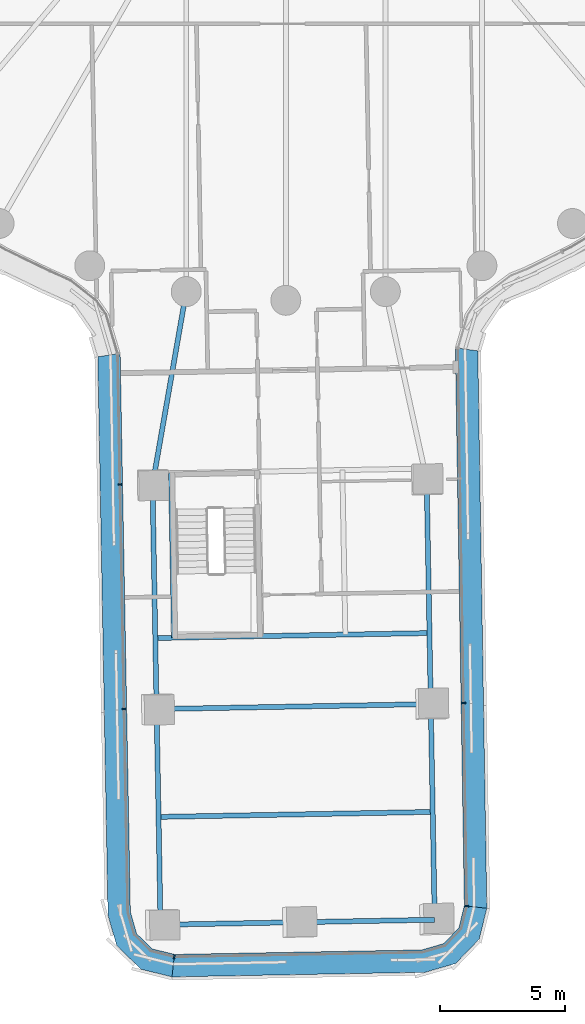
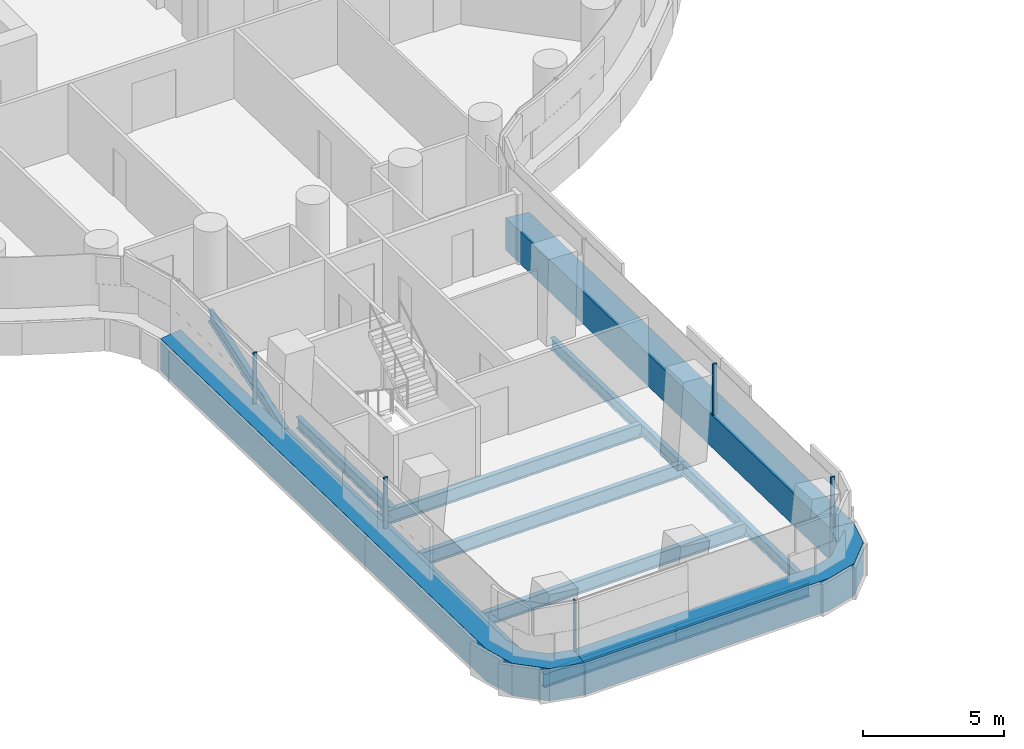
# One storey, part 2 of 31: 11 beams, 8 members, 3 elements without a shape of their own.
"""IFC4 building model written with IfcOpenShell, lengths in metres."""

from ifc_helpers import new_model, si_unit, direction, frame, origin, origin_2d, place, context, subcontext, project, spatial, polyline, rectangle, i_section, outline, extrude, material, layer, layer_set, material_profile, profile_set, type_object, element, aggregate, save


model = new_model("IFC4")

# Units and contexts
model_context = context("Model", 3, precision=1e-05, world=origin(), true_north=direction((0.0, 1.0)))
body_context = subcontext(model_context, "Body", "Model", "MODEL_VIEW")
ifc_project = project(units=[si_unit("LENGTHUNIT", "METRE"), si_unit("AREAUNIT", "SQUARE_METRE"), si_unit("VOLUMEUNIT", "CUBIC_METRE"), si_unit("PLANEANGLEUNIT", "RADIAN"), si_unit("MASSUNIT", "GRAM", prefix="KILO")], contexts=[model_context])

# Site, building, storey
site_placement = place(None, origin())
site = spatial("IfcSite", under=ifc_project, at=site_placement, CompositionType="ELEMENT")
building_placement = place(site_placement, origin())
building = spatial("IfcBuilding", under=site, at=building_placement, Name="Tamarind Cross Interchange Tower", CompositionType="ELEMENT")
storey_placement = place(building_placement, frame((0.0, 0.0, 37.75)))
storey = spatial("IfcBuildingStorey", under=building, at=storey_placement, Name="L07", CompositionType="ELEMENT", Elevation=37.75)

# Beams
ifc_material_1 = material(Name="Steel Q355B", Category="steel")
ifc_material_profile_1 = material_profile(ifc_material_1, i_section(OverallWidth=0.198974609375, OverallDepth=0.49609375, WebThickness=0.009033203125, FlangeThickness=0.013916015625, FilletRadius=0.012939453125, at=origin_2d()), Name="HN 496x199x9x14")
ifc_profile_set_1 = profile_set([ifc_material_profile_1], Name="Steel Q355B")
beam_type_1 = type_object("IfcBeamType", Name="Composite beam HN 496x199x9x14 Q355B", PredefinedType="BEAM", material=ifc_profile_set_1)
beam_1_placement = place(storey_placement, frame((-5.02587890625, -48.048828125, -0.387939453125), z_axis=(-0.018227020054, 0.999833874071, 0.0), x_axis=(-0.999833874071, -0.018227020054, 0.0)))
element("IfcBeam", 1, at=beam_1_placement, inside=storey, type_object=beam_type_1, Name="Beam S-edgeem5", PredefinedType="BEAM", context=body_context, shape_type="SweptSolid", body=[
    extrude(i_section(OverallWidth=0.198974609375, OverallDepth=0.49609375, WebThickness=0.009033203125, FlangeThickness=0.013916015625, FilletRadius=0.012939453125, at=origin_2d()), origin(), (0.0, 0.0, 1.0), 8.65283203125),
])
beam_2_placement = place(storey_placement, frame((-5.18359375, -39.3974609375, -0.387939453125), z_axis=(-0.018229104613, 0.999833836067, 0.0), x_axis=(-0.999833836067, -0.018229104613, 0.0)))
element("IfcBeam", 2, at=beam_2_placement, inside=storey, type_object=beam_type_1, Name="Beam S-edgeem6", PredefinedType="BEAM", context=body_context, shape_type="SweptSolid", body=[
    extrude(i_section(OverallWidth=0.198974609375, OverallDepth=0.49609375, WebThickness=0.009033203125, FlangeThickness=0.013916015625, FilletRadius=0.012939453125, at=origin_2d()), origin(), (0.0, 0.0, 1.0), 9.0),
])
beam_3_placement = place(storey_placement, frame((5.972412109375, -47.84814453125, -0.387939453125), z_axis=(-0.01825522586, 0.99983335948, 0.0), x_axis=(-0.99983335948, -0.01825522586, 0.0)))
element("IfcBeam", 3, at=beam_3_placement, inside=storey, type_object=beam_type_1, Name="Beam S-edgeep2", PredefinedType="BEAM", context=body_context, shape_type="SweptSolid", body=[
    extrude(i_section(OverallWidth=0.198974609375, OverallDepth=0.49609375, WebThickness=0.009033203125, FlangeThickness=0.013916015625, FilletRadius=0.012939453125, at=origin_2d()), origin(), (0.0, 0.0, 1.0), 8.65283203125),
])
beam_4_placement = place(storey_placement, frame((5.814453125, -39.19677734375, -0.387939453125), z_axis=(-0.018229104613, 0.999833836067, 0.0), x_axis=(-0.999833836067, -0.018229104613, 0.0)))
element("IfcBeam", 4, at=beam_4_placement, inside=storey, type_object=beam_type_1, Name="Beam S-edgeep3", PredefinedType="BEAM", context=body_context, shape_type="SweptSolid", body=[
    extrude(i_section(OverallWidth=0.198974609375, OverallDepth=0.49609375, WebThickness=0.009033203125, FlangeThickness=0.013916015625, FilletRadius=0.012939453125, at=origin_2d()), origin(), (0.0, 0.0, 1.0), 9.0),
])
beam_5_placement = place(storey_placement, frame((-5.34765625, -30.39892578125, -0.387939453125), z_axis=(0.172110030012, 0.98507773174, 0.0), x_axis=(-0.98507773174, 0.172110030012, 0.0)))
element("IfcBeam", 5, at=beam_5_placement, inside=storey, type_object=beam_type_1, Name="Beam S-linkem", PredefinedType="BEAM", context=body_context, shape_type="SweptSolid", body=[
    extrude(i_section(OverallWidth=0.198974609375, OverallDepth=0.49609375, WebThickness=0.009033203125, FlangeThickness=0.013916015625, FilletRadius=0.012939453125, at=origin_2d()), origin(), (0.0, 0.0, 1.0), 7.86572265625),
])
beam_6_placement = place(storey_placement, frame((-4.60595703125, -29.935302734375, -0.387939453125), z_axis=(0.018199656343, -0.999834372538, 0.0), x_axis=(0.999834372538, 0.018199656343, 0.0)))
element("IfcBeam", 6, at=beam_6_placement, inside=storey, type_object=beam_type_1, Name="Beam S-tr0", PredefinedType="BEAM", context=body_context, shape_type="SweptSolid", body=[
    extrude(i_section(OverallWidth=0.198974609375, OverallDepth=0.49609375, WebThickness=0.009033203125, FlangeThickness=0.013916015625, FilletRadius=0.012939453125, at=origin_2d()), origin(), (0.0, 0.0, 1.0), 6.599853515625),
])
ifc_material_profile_2 = material_profile(ifc_material_1, i_section(OverallWidth=0.199951171875, OverallDepth=0.60009765625, WebThickness=0.010986328125, FlangeThickness=0.01708984375, FilletRadius=0.012939453125, at=origin_2d()), Name="HN 600x200x11x17")
ifc_profile_set_2 = profile_set([ifc_material_profile_2], Name="Steel Q355B")
beam_type_2 = type_object("IfcBeamType", Name="Composite beam HN 600x200x11x17 Q355B", PredefinedType="BEAM", material=ifc_profile_set_2)
beam_7_placement = place(storey_placement, frame((-5.02587890625, -48.048828125, -0.43994140625), z_axis=(0.999833561354, 0.018244165944, 0.0), x_axis=(-0.018244165944, 0.999833561354, 0.0)))
element("IfcBeam", 7, at=beam_7_placement, inside=storey, type_object=beam_type_2, Name="Beam S-tip0", PredefinedType="BEAM", context=body_context, shape_type="SweptSolid", body=[
    extrude(i_section(OverallWidth=0.199951171875, OverallDepth=0.60009765625, WebThickness=0.010986328125, FlangeThickness=0.01708984375, FilletRadius=0.012939453125, at=origin_2d()), origin(), (0.0, 0.0, 1.0), 5.5),
])
beam_8_placement = place(storey_placement, frame((0.47314453125, -47.948486328125, -0.43994140625), z_axis=(0.999833576128, 0.018243356261, 0.0), x_axis=(-0.018243356261, 0.999833576128, 0.0)))
element("IfcBeam", 8, at=beam_8_placement, inside=storey, type_object=beam_type_2, Name="Beam S-tip1", PredefinedType="BEAM", context=body_context, shape_type="SweptSolid", body=[
    extrude(i_section(OverallWidth=0.199951171875, OverallDepth=0.60009765625, WebThickness=0.010986328125, FlangeThickness=0.01708984375, FilletRadius=0.012939453125, at=origin_2d()), origin(), (0.0, 0.0, 1.0), 5.500244140625),
])
for number, where, z_axis, x_axis, name in (
    (9, (-5.235595703125, -36.5478515625, -0.43994140625), (0.999833965967, 0.018221978469, 0.0), (-0.018221978469, 0.999833965967, 0.0), "Beam S-x364"),
    (10, (-5.18359375, -39.3974609375, -0.43994140625), (0.999833561354, 0.018244165944, 0.0), (-0.018244165944, 0.999833561354, 0.0), "Beam S-x393"),
    (11, (-5.104736328125, -43.72314453125, -0.43994140625), (0.999833561354, 0.018244165944, 0.0), (-0.018244165944, 0.999833561354, 0.0), "Beam S-x436"),
):
    element("IfcBeam", number, at=place(storey_placement, frame(where, z_axis=z_axis, x_axis=x_axis)), inside=storey, type_object=beam_type_2, Name=name, PredefinedType="BEAM", context=body_context, shape_type="SweptSolid", body=[
        extrude(i_section(OverallWidth=0.199951171875, OverallDepth=0.60009765625, WebThickness=0.010986328125, FlangeThickness=0.01708984375, FilletRadius=0.012939453125, at=origin_2d()), origin(), (0.0, 0.0, 1.0), 10.999755859375),
    ])

# Curtain wall, member
ifc_material_2 = material(Name="Aluminium 6063-T6", Category="aluminium")
ifc_layer = layer(ifc_material_2, 0.159912109375)
ifc_layer_set = layer_set([ifc_layer], Name="Aluminium 6063-T6")
curtain_wall_type = type_object("IfcCurtainWallType", Name="Office curtain wall, 9.0 m bays", PredefinedType="NOTDEFINED", material=ifc_layer_set)
curtain_wall_1_placement = place(storey_placement, origin())
curtain_wall_1 = element("IfcCurtainWall", 12, at=curtain_wall_1_placement, inside=storey, type_object=curtain_wall_type, Name="CWS-L07-07", PredefinedType="NOTDEFINED")
ifc_material_3 = material(Name="Aluminium and insulated spandrel panel", Category="aluminium")
member_type_1 = type_object("IfcMemberType", Name="Floor-edge blade transom", PredefinedType="USERDEFINED", material=ifc_material_3)
member_1_placement = place(storey_placement, origin())
member_1 = element("IfcMember", 13, at=member_1_placement, type_object=member_type_1, Name="CWT-L07-07", ObjectType="TRANSOM", PredefinedType="USERDEFINED", context=body_context, shape_type="SweptSolid", body=[
    extrude(outline(polyline([(-6.64404296875, -25.127197265625), (-6.235595703125, -47.53125), (-5.982421875, -48.4111328125), (-5.35302734375, -49.01806640625), (-4.464599609375, -49.23876953125), (-4.566650390625, -50.140869140625), (-5.803955078125, -49.833251953125), (-6.78076171875, -48.8916015625), (-7.13330078125, -47.666259765625), (-7.541748046875, -25.264892578125), (-6.64404296875, -25.127197265625)])), origin(), (0.0, 0.0, 1.0), 1.39990234375),
])

curtain_wall_2_placement = place(storey_placement, origin())
curtain_wall_2 = element("IfcCurtainWall", 14, at=curtain_wall_2_placement, inside=storey, type_object=curtain_wall_type, Name="CWS-L07-08", PredefinedType="NOTDEFINED")
member_2_placement = place(storey_placement, origin())
member_2 = element("IfcMember", 15, at=member_2_placement, type_object=member_type_1, Name="CWT-L07-08", ObjectType="TRANSOM", PredefinedType="USERDEFINED", context=body_context, shape_type="SweptSolid", body=[
    extrude(outline(polyline([(-4.464599609375, -49.23876953125), (5.454833984375, -49.057861328125), (6.33447265625, -48.804931640625), (6.94140625, -48.17529296875), (7.162353515625, -47.28662109375), (8.064208984375, -47.3896484375), (7.7568359375, -48.62646484375), (6.81494140625, -49.603271484375), (5.589599609375, -49.95556640625), (-4.566650390625, -50.140869140625), (-4.464599609375, -49.23876953125)])), origin(), (0.0, 0.0, 1.0), 1.39990234375),
])

curtain_wall_3_placement = place(storey_placement, origin())
curtain_wall_3 = element("IfcCurtainWall", 16, at=curtain_wall_3_placement, inside=storey, type_object=curtain_wall_type, Name="CWS-L07-09", PredefinedType="NOTDEFINED")
member_3_placement = place(storey_placement, origin())
member_3 = element("IfcMember", 17, at=member_3_placement, type_object=member_type_1, Name="CWT-L07-09", ObjectType="TRANSOM", PredefinedType="USERDEFINED", context=body_context, shape_type="SweptSolid", body=[
    extrude(outline(polyline([(7.162353515625, -47.28662109375), (6.7998046875, -24.904052734375), (7.701904296875, -25.026611328125), (8.064208984375, -47.3896484375), (7.162353515625, -47.28662109375)])), origin(), (0.0, 0.0, 1.0), 1.39990234375),
])

# Member
ifc_material_profile_3 = material_profile(ifc_material_2, rectangle(XDim=0.06005859375, YDim=0.159912109375, at=origin_2d()), Name="Mullion CW1")
ifc_profile_set_3 = profile_set([ifc_material_profile_3], Name="Aluminium 6063-T6")
member_type_2 = type_object("IfcMemberType", Name="Mullion CW1", PredefinedType="MULLION", material=ifc_profile_set_3)
member_4_placement = place(storey_placement, frame((-6.64794921875, -30.395751953125, 1.39990234375), z_axis=(0.0, 0.0, 1.0), x_axis=(0.018234189439, -0.999833743347, 0.0)))
member_4 = element("IfcMember", 18, at=member_4_placement, type_object=member_type_2, Name="CWM-L07-07-01", PredefinedType="MULLION", context=body_context, shape_type="SweptSolid", body=[
    extrude(rectangle(XDim=0.06005859375, YDim=0.159912109375, at=origin_2d()), origin(), (0.0, 0.0, 1.0), 2.210205078125),
])

member_5_placement = place(storey_placement, frame((-6.48388671875, -39.39453125, 1.39990234375), z_axis=(0.0, 0.0, 1.0), x_axis=(0.018234189439, -0.999833743347, 0.0)))
member_5 = element("IfcMember", 19, at=member_5_placement, type_object=member_type_2, Name="CWM-L07-07-02", PredefinedType="MULLION", context=body_context, shape_type="SweptSolid", body=[
    extrude(rectangle(XDim=0.06005859375, YDim=0.159912109375, at=origin_2d()), origin(), (0.0, 0.0, 1.0), 2.210205078125),
])

aggregate(curtain_wall_1, [member_4, member_5, member_1])

member_6_placement = place(storey_placement, frame((-4.475830078125, -49.339111328125, 1.39990234375), z_axis=(0.0, 0.0, 1.0), x_axis=(0.993660066385, -0.112426297951, 0.0)))
member_6 = element("IfcMember", 20, at=member_6_placement, type_object=member_type_2, Name="CWM-L07-08-00", PredefinedType="MULLION", context=body_context, shape_type="SweptSolid", body=[
    extrude(rectangle(XDim=0.06005859375, YDim=0.159912109375, at=origin_2d()), origin(), (0.0, 0.0, 1.0), 2.210205078125),
])

aggregate(curtain_wall_2, [member_6, member_2])

member_7_placement = place(storey_placement, frame((7.262451171875, -47.298095703125, 1.39990234375), z_axis=(0.0, 0.0, 1.0), x_axis=(0.113439954409, 0.993544853916, 0.0)))
member_7 = element("IfcMember", 21, at=member_7_placement, type_object=member_type_2, Name="CWM-L07-09-00", PredefinedType="MULLION", context=body_context, shape_type="SweptSolid", body=[
    extrude(rectangle(XDim=0.06005859375, YDim=0.159912109375, at=origin_2d()), origin(), (0.0, 0.0, 1.0), 2.210205078125),
])

member_8_placement = place(storey_placement, frame((7.130615234375, -39.144775390625, 1.39990234375), z_axis=(0.0, 0.0, 1.0), x_axis=(-0.016194126045, 0.999868866543, 0.0)))
member_8 = element("IfcMember", 22, at=member_8_placement, type_object=member_type_2, Name="CWM-L07-09-01", PredefinedType="MULLION", context=body_context, shape_type="SweptSolid", body=[
    extrude(rectangle(XDim=0.06005859375, YDim=0.159912109375, at=origin_2d()), origin(), (0.0, 0.0, 1.0), 2.210205078125),
])

aggregate(curtain_wall_3, [member_7, member_8, member_3])

save(model, "model.ifc")
